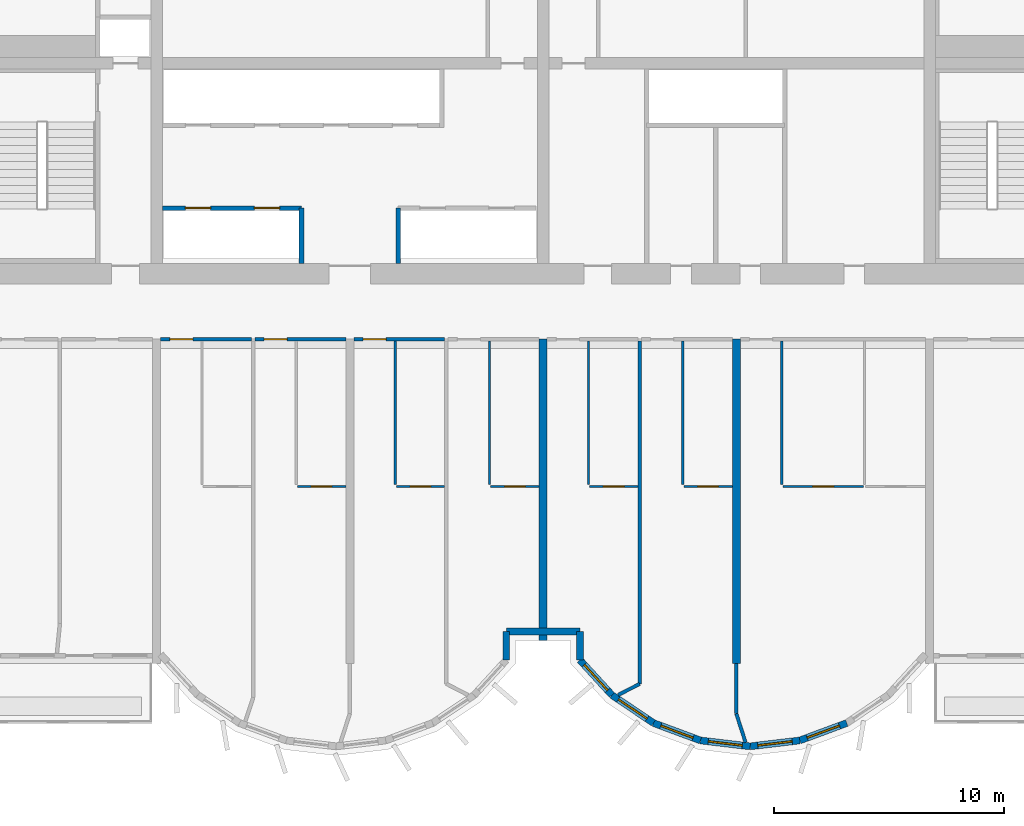
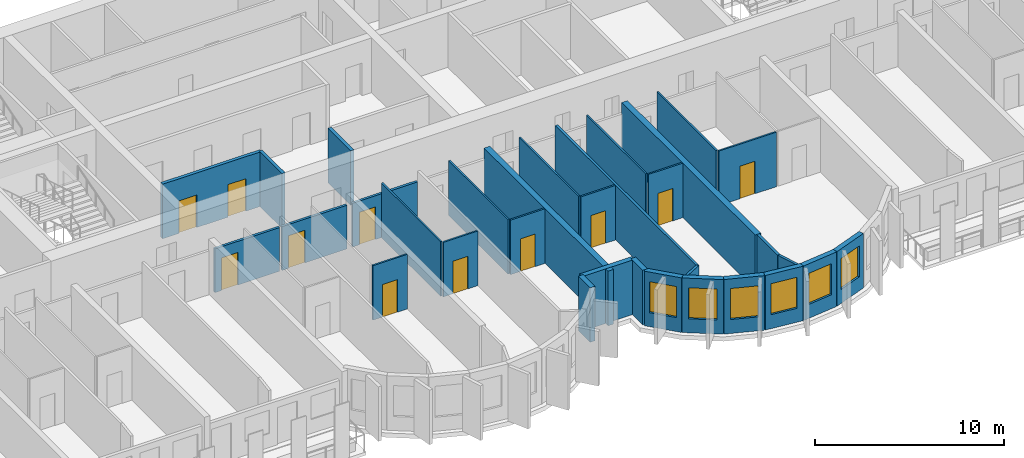
# One storey, part 5 of 14: 32 walls, 11 doors, 6 windows, 17 openings.
"""IFC4 building model written with IfcOpenShell, lengths in metres."""

from ifc_helpers import new_model, si_unit, direction, frame, frame_2d, origin, place, context, subcontext, project, spatial, rectangle, extrude, source, transform, mapped, material, layer, layer_set, type_object, element, fill, save


model = new_model("IFC4")

# Units and contexts
model_context = context("Model", 3, precision=1e-05, world=origin(), true_north=direction((0.0, 1.0)))
body_context = subcontext(model_context, "Body", "Model", "MODEL_VIEW")
ifc_project = project(units=[si_unit("LENGTHUNIT", "METRE"), si_unit("AREAUNIT", "SQUARE_METRE"), si_unit("VOLUMEUNIT", "CUBIC_METRE"), si_unit("PLANEANGLEUNIT", "RADIAN"), si_unit("MASSUNIT", "GRAM", prefix="KILO")], contexts=[model_context])

# Site, building, storey
site_placement = place(None, origin())
site = spatial("IfcSite", under=ifc_project, at=site_placement, CompositionType="ELEMENT")
building_placement = place(site_placement, origin())
building = spatial("IfcBuilding", under=site, at=building_placement, Name="Vanashikhar Sky Hotel", CompositionType="ELEMENT")
storey_placement = place(building_placement, frame((0.0, 0.0, 125.60009765625)))
storey = spatial("IfcBuildingStorey", under=building, at=storey_placement, Name="L30", CompositionType="ELEMENT", Elevation=125.60009765625)

# Walls
ifc_material_1 = material(Name="Concrete M70", Category="concrete")
ifc_layer_1 = layer(ifc_material_1, 0.35009765625)
ifc_layer_set_1 = layer_set([ifc_layer_1], Name="RC shear wall 350 Concrete M70")
wall_type_1 = type_object("IfcWallType", Name="RC shear wall 350 Concrete M70", PredefinedType="SHEAR", material=ifc_layer_set_1)
shared_shape_1 = source(origin(), body_context, "Body", "SweptSolid", [
    extrude(rectangle(XDim=14.10009765625, YDim=0.35009765625, at=frame_2d((7.050048828125, 0.0))), origin(), (0.0, 0.0, 1.0), 3.52001953125),
])
wall_1_placement = place(storey_placement, frame((58.800048828125, 5.5, 0.0), z_axis=(0.0, 0.0, 1.0), x_axis=(0.0, 1.0, 0.0)))
element("IfcWall", 1, at=wall_1_placement, inside=storey, type_object=wall_type_1, Name="CW-L30-XW08-1", PredefinedType="SHEAR", context=body_context, shape_type="MappedRepresentation", body=[
    mapped(shared_shape_1, transform((0.0, 0.0, 0.0), scale=1.0)),
])
shared_shape_2 = source(origin(), body_context, "Body", "SweptSolid", [
    extrude(rectangle(XDim=13.10009765625, YDim=0.35009765625, at=frame_2d((6.550048828125, 0.0))), origin(), (0.0, 0.0, 1.0), 3.52001953125),
])
wall_2_placement = place(storey_placement, frame((50.39990234375, 6.5, 0.0), z_axis=(0.0, 0.0, 1.0), x_axis=(0.0, 1.0, 0.0)))
element("IfcWall", 2, at=wall_2_placement, inside=storey, type_object=wall_type_1, Name="CW-L30-XW07-1", PredefinedType="SHEAR", context=body_context, shape_type="MappedRepresentation", body=[
    mapped(shared_shape_2, transform((0.0, 0.0, 0.0), scale=1.0)),
])

# Wall, opening, window
ifc_material_2 = material(Name="Concrete M50", Category="concrete")
ifc_layer_2 = layer(ifc_material_2, 0.300048828125)
ifc_layer_set_2 = layer_set([ifc_layer_2], Name="Lobe wall 300")
wall_type_2 = type_object("IfcWallType", Name="Lobe wall 300", PredefinedType="SOLIDWALL", material=ifc_layer_set_2)
shared_shape_3 = source(origin(), body_context, "Body", "SweptSolid", [
    extrude(rectangle(XDim=2.17578125, YDim=0.300048828125, at=frame_2d((1.087890625, 0.0))), origin(), (0.0, 0.0, 1.0), 3.52001953125),
])
wall_3_placement = place(storey_placement, frame((53.395751953125, 4.13134765625, 0.0), z_axis=(0.0, 0.0, 1.0), x_axis=(0.829590746428, -0.558371913192, 0.0)))
wall_3 = element("IfcWall", 3, at=wall_3_placement, inside=storey, type_object=wall_type_2, Name="Lobe wall", PredefinedType="SOLIDWALL", context=body_context, shape_type="MappedRepresentation", body=[
    mapped(shared_shape_3, transform((0.0, 0.0, 0.0), scale=1.0)),
])
shared_shape_4 = source(origin(), body_context, "Body", "SweptSolid", [
    extrude(rectangle(XDim=1.5, YDim=2.0, at=frame_2d((0.75, 1.0))), frame((0.0, 0.16015625, 0.0), z_axis=(0.0, -1.0, 0.0), x_axis=(1.0, 0.0, 0.0)), (0.0, 0.0, 1.0), 0.320068359375),
])
opening_1_placement = place(wall_3_placement, frame((0.337890625, 0.0, 0.89990234375)))
opening_1 = element("IfcOpeningElement", 4, at=opening_1_placement, cuts=wall_3, Name="Opening WN-2", PredefinedType="OPENING", context=body_context, shape_type="MappedRepresentation", body=[
    mapped(shared_shape_4, transform((0.0, 0.0, 0.0), scale=1.0)),
])
ifc_material_3 = material(Name="Glass", Category="glass")
window_type = type_object("IfcWindowType", Name="Lobe window 1500 x 2000", PartitioningType="SINGLE_PANEL", PredefinedType="WINDOW", material=ifc_material_3)
shared_shape_5 = source(origin(), body_context, "Body", "SweptSolid", [
    extrude(rectangle(XDim=1.5, YDim=2.0, at=frame_2d((0.75, 1.0))), frame((0.0, 0.030029296875, 0.0), z_axis=(0.0, -1.0, 0.0), x_axis=(1.0, 0.0, 0.0)), (0.0, 0.0, 1.0), 0.06005859375),
])
window_1_placement = place(opening_1_placement, origin())
window_1 = element("IfcWindow", 5, at=window_1_placement, inside=storey, type_object=window_type, Name="Window WN-2", OverallHeight=2.0, OverallWidth=1.5, PartitioningType="SINGLE_PANEL", PredefinedType="WINDOW", context=body_context, shape_type="MappedRepresentation", body=[
    mapped(shared_shape_5, transform((0.0, 0.0, 0.0), scale=1.0)),
])
fill(opening_1, window_1)

wall_4_placement = place(storey_placement, frame((55.20068359375, 2.91650390625, 0.0), z_axis=(0.0, 0.0, 1.0), x_axis=(0.93754555999, -0.347862505801, 0.0)))
wall_4 = element("IfcWall", 6, at=wall_4_placement, inside=storey, type_object=wall_type_2, Name="Lobe wall", PredefinedType="SOLIDWALL", context=body_context, shape_type="MappedRepresentation", body=[
    mapped(shared_shape_3, transform((0.0, 0.0, 0.0), scale=1.0)),
])
opening_2_placement = place(wall_4_placement, frame((0.337890625, 0.0, 0.89990234375)))
opening_2 = element("IfcOpeningElement", 7, at=opening_2_placement, cuts=wall_4, Name="Opening WN-2", PredefinedType="OPENING", context=body_context, shape_type="MappedRepresentation", body=[
    mapped(shared_shape_4, transform((0.0, 0.0, 0.0), scale=1.0)),
])
window_2_placement = place(opening_2_placement, origin())
window_2 = element("IfcWindow", 8, at=window_2_placement, inside=storey, type_object=window_type, Name="Window WN-2", OverallHeight=2.0, OverallWidth=1.5, PartitioningType="SINGLE_PANEL", PredefinedType="WINDOW", context=body_context, shape_type="MappedRepresentation", body=[
    mapped(shared_shape_5, transform((0.0, 0.0, 0.0), scale=1.0)),
])
fill(opening_2, window_2)

shared_shape_6 = source(origin(), body_context, "Body", "SweptSolid", [
    extrude(rectangle(XDim=2.174560546875, YDim=0.300048828125, at=frame_2d((1.08740234375, 0.0))), origin(), (0.0, 0.0, 1.0), 3.52001953125),
])
wall_5_placement = place(storey_placement, frame((57.240478515625, 2.15966796875, 0.0), z_axis=(0.0, 0.0, 1.0), x_axis=(0.993001132889, -0.118104826659, 0.0)))
wall_5 = element("IfcWall", 9, at=wall_5_placement, inside=storey, type_object=wall_type_2, Name="Lobe wall", PredefinedType="SOLIDWALL", context=body_context, shape_type="MappedRepresentation", body=[
    mapped(shared_shape_6, transform((0.0, 0.0, 0.0), scale=1.0)),
])
opening_3_placement = place(wall_5_placement, frame((0.33740234375, 0.0, 0.89990234375)))
opening_3 = element("IfcOpeningElement", 10, at=opening_3_placement, cuts=wall_5, Name="Opening WN-2", PredefinedType="OPENING", context=body_context, shape_type="MappedRepresentation", body=[
    mapped(shared_shape_4, transform((0.0, 0.0, 0.0), scale=1.0)),
])
window_3_placement = place(opening_3_placement, origin())
window_3 = element("IfcWindow", 11, at=window_3_placement, inside=storey, type_object=window_type, Name="Window WN-2", OverallHeight=2.0, OverallWidth=1.5, PartitioningType="SINGLE_PANEL", PredefinedType="WINDOW", context=body_context, shape_type="MappedRepresentation", body=[
    mapped(shared_shape_5, transform((0.0, 0.0, 0.0), scale=1.0)),
])
fill(opening_3, window_3)

shared_shape_7 = source(origin(), body_context, "Body", "SweptSolid", [
    extrude(rectangle(XDim=2.1748046875, YDim=0.300048828125, at=frame_2d((1.08740234375, 0.0))), origin(), (0.0, 0.0, 1.0), 3.52001953125),
])
wall_6_placement = place(storey_placement, frame((59.39990234375, 1.90283203125, 0.0), z_axis=(0.0, 0.0, 1.0), x_axis=(0.993002698611, 0.118091661648, 0.0)))
wall_6 = element("IfcWall", 12, at=wall_6_placement, inside=storey, type_object=wall_type_2, Name="Lobe wall", PredefinedType="SOLIDWALL", context=body_context, shape_type="MappedRepresentation", body=[
    mapped(shared_shape_7, transform((0.0, 0.0, 0.0), scale=1.0)),
])
opening_4_placement = place(wall_6_placement, frame((0.33740234375, 0.0, 0.89990234375)))
opening_4 = element("IfcOpeningElement", 13, at=opening_4_placement, cuts=wall_6, Name="Opening WN-2", PredefinedType="OPENING", context=body_context, shape_type="MappedRepresentation", body=[
    mapped(shared_shape_4, transform((0.0, 0.0, 0.0), scale=1.0)),
])
window_4_placement = place(opening_4_placement, origin())
window_4 = element("IfcWindow", 14, at=window_4_placement, inside=storey, type_object=window_type, Name="Window WN-2", OverallHeight=2.0, OverallWidth=1.5, PartitioningType="SINGLE_PANEL", PredefinedType="WINDOW", context=body_context, shape_type="MappedRepresentation", body=[
    mapped(shared_shape_5, transform((0.0, 0.0, 0.0), scale=1.0)),
])
fill(opening_4, window_4)

shared_shape_8 = source(origin(), body_context, "Body", "SweptSolid", [
    extrude(rectangle(XDim=2.175537109375, YDim=0.300048828125, at=frame_2d((1.087890625, 0.0))), origin(), (0.0, 0.0, 1.0), 3.52001953125),
])
wall_7_placement = place(storey_placement, frame((61.5595703125, 2.15966796875, 0.0), z_axis=(0.0, 0.0, 1.0), x_axis=(0.937531979054, 0.347899106424, 0.0)))
wall_7 = element("IfcWall", 15, at=wall_7_placement, inside=storey, type_object=wall_type_2, Name="Lobe wall", PredefinedType="SOLIDWALL", context=body_context, shape_type="MappedRepresentation", body=[
    mapped(shared_shape_8, transform((0.0, 0.0, 0.0), scale=1.0)),
])
opening_5_placement = place(wall_7_placement, frame((0.337890625, 0.0, 0.89990234375)))
opening_5 = element("IfcOpeningElement", 16, at=opening_5_placement, cuts=wall_7, Name="Opening WN-2", PredefinedType="OPENING", context=body_context, shape_type="MappedRepresentation", body=[
    mapped(shared_shape_4, transform((0.0, 0.0, 0.0), scale=1.0)),
])
window_5_placement = place(opening_5_placement, origin())
window_5 = element("IfcWindow", 17, at=window_5_placement, inside=storey, type_object=window_type, Name="Window WN-2", OverallHeight=2.0, OverallWidth=1.5, PartitioningType="SINGLE_PANEL", PredefinedType="WINDOW", context=body_context, shape_type="MappedRepresentation", body=[
    mapped(shared_shape_5, transform((0.0, 0.0, 0.0), scale=1.0)),
])
fill(opening_5, window_5)

shared_shape_9 = source(origin(), body_context, "Body", "SweptSolid", [
    extrude(rectangle(XDim=2.066650390625, YDim=0.300048828125, at=frame_2d((1.033203125, 0.0))), origin(), (0.0, 0.0, 1.0), 3.52001953125),
])
wall_8_placement = place(storey_placement, frame((52.0, 5.655517578125, 0.0), z_axis=(0.0, 0.0, 1.0), x_axis=(0.675355439877, -0.737492393065, 0.0)))
wall_8 = element("IfcWall", 18, at=wall_8_placement, inside=storey, type_object=wall_type_2, Name="Lobe wall", PredefinedType="SOLIDWALL", context=body_context, shape_type="MappedRepresentation", body=[
    mapped(shared_shape_9, transform((0.0, 0.0, 0.0), scale=1.0)),
])
opening_6_placement = place(wall_8_placement, frame((0.283447265625, 0.0, 0.89990234375)))
opening_6 = element("IfcOpeningElement", 19, at=opening_6_placement, cuts=wall_8, Name="Opening WN-2", PredefinedType="OPENING", context=body_context, shape_type="MappedRepresentation", body=[
    mapped(shared_shape_4, transform((0.0, 0.0, 0.0), scale=1.0)),
])
window_6_placement = place(opening_6_placement, origin())
window_6 = element("IfcWindow", 20, at=window_6_placement, inside=storey, type_object=window_type, Name="Window WN-2", OverallHeight=2.0, OverallWidth=1.5, PartitioningType="SINGLE_PANEL", PredefinedType="WINDOW", context=body_context, shape_type="MappedRepresentation", body=[
    mapped(shared_shape_5, transform((0.0, 0.0, 0.0), scale=1.0)),
])
fill(opening_6, window_6)

# Walls
shared_shape_10 = source(origin(), body_context, "Body", "SweptSolid", [
    extrude(rectangle(XDim=1.244384765625, YDim=0.300048828125, at=frame_2d((0.6220703125, 0.0))), origin(), (0.0, 0.0, 1.0), 3.52001953125),
])
for number, where, z_axis, x_axis, name in (
    (21, (48.800048828125, 5.655517578125, 0.0), (0.0, 0.0, 1.0), (0.0, 1.0, 0.0), "Groove wall"),
    (22, (52.0, 6.89990234375, 0.0), (0.0, 0.0, 1.0), (0.0, -1.0, 0.0), "Groove wall"),
):
    element("IfcWall", number, at=place(storey_placement, frame(where, z_axis=z_axis, x_axis=x_axis)), inside=storey, type_object=wall_type_2, Name=name, PredefinedType="SOLIDWALL", context=body_context, shape_type="MappedRepresentation", body=[
        mapped(shared_shape_10, transform((0.0, 0.0, 0.0), scale=1.0)),
    ])
shared_shape_11 = source(origin(), body_context, "Body", "SweptSolid", [
    extrude(rectangle(XDim=3.199951171875, YDim=0.300048828125, at=frame_2d((1.60009765625, 0.0))), origin(), (0.0, 0.0, 1.0), 3.52001953125),
])
wall_9_placement = place(storey_placement, frame((48.800048828125, 6.89990234375, 0.0), z_axis=(0.0, 0.0, 1.0), x_axis=(1.0, 0.0, 0.0)))
element("IfcWall", 23, at=wall_9_placement, inside=storey, type_object=wall_type_2, Name="Groove wall", PredefinedType="SOLIDWALL", context=body_context, shape_type="MappedRepresentation", body=[
    mapped(shared_shape_11, transform((0.0, 0.0, 0.0), scale=1.0)),
])

# Wall, openings, doors
ifc_material_4 = material(Name="Concrete M40", Category="concrete")
ifc_layer_3 = layer(ifc_material_4, 0.199951171875)
ifc_layer_set_3 = layer_set([ifc_layer_3], Name="Shaft wall 200")
wall_type_3 = type_object("IfcWallType", Name="Shaft wall 200", PredefinedType="SOLIDWALL", material=ifc_layer_set_3)
shared_shape_12 = source(origin(), body_context, "Body", "SweptSolid", [
    extrude(rectangle(XDim=6.0498046875, YDim=0.199951171875, at=frame_2d((3.02490234375, 0.0))), origin(), (0.0, 0.0, 1.0), 3.52001953125),
])
wall_10_placement = place(storey_placement, frame((33.85009765625, 25.300048828125, 0.0), z_axis=(0.0, 0.0, 1.0), x_axis=(1.0, 0.0, 0.0)))
wall_10 = element("IfcWall", 24, at=wall_10_placement, inside=storey, type_object=wall_type_3, Name="Shaft wall 200", PredefinedType="SOLIDWALL", context=body_context, shape_type="MappedRepresentation", body=[
    mapped(shared_shape_12, transform((0.0, 0.0, 0.0), scale=1.0)),
])
shared_shape_13 = source(origin(), body_context, "Body", "SweptSolid", [
    extrude(rectangle(XDim=1.10009765625, YDim=2.10009765625, at=frame_2d((0.550048828125, 1.050048828125))), frame((0.0, 0.10986328125, 0.0), z_axis=(0.0, -1.0, 0.0), x_axis=(1.0, 0.0, 0.0)), (0.0, 0.0, 1.0), 0.219970703125),
])
opening_7_placement = place(wall_10_placement, frame((1.0, 0.0, 0.0)))
opening_7 = element("IfcOpeningElement", 25, at=opening_7_placement, cuts=wall_10, Name="Opening LD", PredefinedType="OPENING", context=body_context, shape_type="MappedRepresentation", body=[
    mapped(shared_shape_13, transform((0.0, 0.0, 0.0), scale=1.0)),
])
opening_8_placement = place(wall_10_placement, frame((4.0, 0.0, 0.0)))
opening_8 = element("IfcOpeningElement", 26, at=opening_8_placement, cuts=wall_10, Name="Opening LD", PredefinedType="OPENING", context=body_context, shape_type="MappedRepresentation", body=[
    mapped(shared_shape_13, transform((0.0, 0.0, 0.0), scale=1.0)),
])
ifc_material_5 = material(Name="Stainless steel", Category="steel")
door_type_1 = type_object("IfcDoorType", Name="Lift landing door 1100", OperationType="NOTDEFINED", PredefinedType="DOOR", material=ifc_material_5)
shared_shape_14 = source(origin(), body_context, "Body", "SweptSolid", [
    extrude(rectangle(XDim=1.10009765625, YDim=2.10009765625, at=frame_2d((0.550048828125, 1.050048828125))), frame((0.0, 0.02490234375, 0.0), z_axis=(0.0, -1.0, 0.0), x_axis=(1.0, 0.0, 0.0)), (0.0, 0.0, 1.0), 0.050048828125),
])
door_1_placement = place(opening_7_placement, origin())
door_1 = element("IfcDoor", 27, at=door_1_placement, inside=storey, type_object=door_type_1, Name="Lift landing door 1100", OperationType="SLIDING_TO_LEFT", OverallHeight=2.10009765625, OverallWidth=1.10009765625, PredefinedType="DOOR", context=body_context, shape_type="MappedRepresentation", body=[
    mapped(shared_shape_14, transform((0.0, 0.0, 0.0), scale=1.0)),
])
fill(opening_7, door_1)
door_2_placement = place(opening_8_placement, origin())
door_2 = element("IfcDoor", 28, at=door_2_placement, inside=storey, type_object=door_type_1, Name="Lift landing door 1100", OperationType="SLIDING_TO_RIGHT", OverallHeight=2.10009765625, OverallWidth=1.10009765625, PredefinedType="DOOR", context=body_context, shape_type="MappedRepresentation", body=[
    mapped(shared_shape_14, transform((0.0, 0.0, 0.0), scale=1.0)),
])
fill(opening_8, door_2)

# Walls
shared_shape_15 = source(origin(), body_context, "Body", "SweptSolid", [
    extrude(rectangle(XDim=2.400146484375, YDim=0.199951171875, at=frame_2d((1.2001953125, 0.0))), origin(), (0.0, 0.0, 1.0), 3.52001953125),
])
for number, where, z_axis, x_axis, name in (
    (29, (39.89990234375, 22.89990234375, 0.0), (0.0, 0.0, 1.0), (0.0, 1.0, 0.0), "Shaft wall 200"),
    (30, (44.10009765625, 22.89990234375, 0.0), (0.0, 0.0, 1.0), (0.0, 1.0, 0.0), "Shaft wall 200"),
):
    element("IfcWall", number, at=place(storey_placement, frame(where, z_axis=z_axis, x_axis=x_axis)), inside=storey, type_object=wall_type_3, Name=name, PredefinedType="SOLIDWALL", context=body_context, shape_type="MappedRepresentation", body=[
        mapped(shared_shape_15, transform((0.0, 0.0, 0.0), scale=1.0)),
    ])
ifc_material_6 = material(Name="Gypsum plasterboard partition")
ifc_layer_4 = layer(ifc_material_6, 0.14990234375)
ifc_layer_set_4 = layer_set([ifc_layer_4], Name="Corridor and demising partition 150")
wall_type_4 = type_object("IfcWallType", Name="Corridor and demising partition 150", PredefinedType="PARTITIONING", material=ifc_layer_set_4)
shared_shape_16 = source(origin(), body_context, "Body", "SweptSolid", [
    extrude(rectangle(XDim=2.177978515625, YDim=0.14990234375, at=frame_2d((1.0888671875, 0.0))), origin(), (0.0, 0.0, 1.0), 3.52001953125),
])
wall_11_placement = place(storey_placement, frame((58.800048828125, 3.322021484375, 0.0), z_axis=(0.0, 0.0, 1.0), x_axis=(0.0, 1.0, 0.0)))
element("IfcWall", 31, at=wall_11_placement, inside=storey, type_object=wall_type_4, Name="W-L30-PW070", PredefinedType="PARTITIONING", context=body_context, shape_type="MappedRepresentation", body=[
    mapped(shared_shape_16, transform((0.0, 0.0, 0.0), scale=1.0)),
])

# Wall, opening, door
ifc_layer_5 = layer(ifc_material_6, 0.10009765625)
ifc_layer_set_5 = layer_set([ifc_layer_5], Name="Wet room partition 100")
wall_type_5 = type_object("IfcWallType", Name="Wet room partition 100", PredefinedType="PARTITIONING", material=ifc_layer_set_5)
shared_shape_17 = source(origin(), body_context, "Body", "SweptSolid", [
    extrude(rectangle(XDim=3.5, YDim=0.10009765625, at=frame_2d((1.75, 0.0))), origin(), (0.0, 0.0, 1.0), 3.52001953125),
])
wall_12_placement = place(storey_placement, frame((60.824951171875, 13.199951171875, 0.0), z_axis=(0.0, 0.0, 1.0), x_axis=(1.0, 0.0, 0.0)))
wall_12 = element("IfcWall", 32, at=wall_12_placement, inside=storey, type_object=wall_type_5, Name="W-L30-PW046", PredefinedType="PARTITIONING", context=body_context, shape_type="MappedRepresentation", body=[
    mapped(shared_shape_17, transform((0.0, 0.0, 0.0), scale=1.0)),
])
shared_shape_18 = source(origin(), body_context, "Body", "SweptSolid", [
    extrude(rectangle(XDim=0.89990234375, YDim=2.10009765625, at=frame_2d((0.449951171875, 1.050048828125))), frame((0.0, 0.06005859375, 0.0), z_axis=(0.0, -1.0, 0.0), x_axis=(1.0, 0.0, 0.0)), (0.0, 0.0, 1.0), 0.1201171875),
])
opening_9_placement = place(wall_12_placement, frame((1.300048828125, 0.0, 0.0)))
opening_9 = element("IfcOpeningElement", 33, at=opening_9_placement, cuts=wall_12, Name="Opening D-02", PredefinedType="OPENING", context=body_context, shape_type="MappedRepresentation", body=[
    mapped(shared_shape_18, transform((0.0, 0.0, 0.0), scale=1.0)),
])
ifc_material_7 = material(Name="Timber door", Category="wood")
door_type_2 = type_object("IfcDoorType", Name="Internal door 900", OperationType="NOTDEFINED", PredefinedType="DOOR", material=ifc_material_7)
shared_shape_19 = source(origin(), body_context, "Body", "SweptSolid", [
    extrude(rectangle(XDim=0.89990234375, YDim=2.10009765625, at=frame_2d((0.449951171875, 1.050048828125))), frame((0.0, 0.02490234375, 0.0), z_axis=(0.0, -1.0, 0.0), x_axis=(1.0, 0.0, 0.0)), (0.0, 0.0, 1.0), 0.050048828125),
])
door_3_placement = place(opening_9_placement, origin())
door_3 = element("IfcDoor", 34, at=door_3_placement, inside=storey, type_object=door_type_2, Name="D-L30-026", OperationType="SINGLE_SWING_LEFT", OverallHeight=2.10009765625, OverallWidth=0.89990234375, PredefinedType="DOOR", context=body_context, shape_type="MappedRepresentation", body=[
    mapped(shared_shape_19, transform((0.0, 0.0, 0.0), scale=1.0)),
])
fill(opening_9, door_3)

# Walls
shared_shape_20 = source(origin(), body_context, "Body", "SweptSolid", [
    extrude(rectangle(XDim=1.057861328125, YDim=0.14990234375, at=frame_2d((0.52880859375, 0.0))), origin(), (0.0, 0.0, 1.0), 3.52001953125),
])
wall_13_placement = place(storey_placement, frame((53.659912109375, 4.134033203125, 0.0), z_axis=(0.0, 0.0, 1.0), x_axis=(0.888772319209, 0.458348955063, 0.0)))
element("IfcWall", 35, at=wall_13_placement, inside=storey, type_object=wall_type_4, Name="W-L30-PW043B0", PredefinedType="PARTITIONING", context=body_context, shape_type="MappedRepresentation", body=[
    mapped(shared_shape_20, transform((0.0, 0.0, 0.0), scale=1.0)),
])
shared_shape_21 = source(origin(), body_context, "Body", "SweptSolid", [
    extrude(rectangle(XDim=1.308349609375, YDim=0.14990234375, at=frame_2d((0.654296875, 0.0))), origin(), (0.0, 0.0, 1.0), 3.52001953125),
])
wall_14_placement = place(storey_placement, frame((59.201904296875, 2.076904296875, 0.0), z_axis=(0.0, 0.0, 1.0), x_axis=(-0.307144529633, 0.951662880392, 0.0)))
element("IfcWall", 36, at=wall_14_placement, inside=storey, type_object=wall_type_4, Name="W-L30-PW070B0", PredefinedType="PARTITIONING", context=body_context, shape_type="MappedRepresentation", body=[
    mapped(shared_shape_21, transform((0.0, 0.0, 0.0), scale=1.0)),
])
shared_shape_22 = source(origin(), body_context, "Body", "SweptSolid", [
    extrude(rectangle(XDim=6.25, YDim=0.10009765625, at=frame_2d((3.125, 0.0))), origin(), (0.0, 0.0, 1.0), 3.52001953125),
])
for number, where, z_axis, x_axis, name in (
    (37, (43.97509765625, 13.27490234375, 0.0), (0.0, 0.0, 1.0), (0.0, 1.0, 0.0), "W-L30-PW030"),
    (38, (48.074951171875, 13.27490234375, 0.0), (0.0, 0.0, 1.0), (0.0, 1.0, 0.0), "W-L30-PW033"),
    (39, (52.375, 13.27490234375, 0.0), (0.0, 0.0, 1.0), (0.0, 1.0, 0.0), "W-L30-PW037"),
    (40, (56.47509765625, 13.27490234375, 0.0), (0.0, 0.0, 1.0), (0.0, 1.0, 0.0), "W-L30-PW040"),
    (41, (60.77490234375, 13.27490234375, 0.0), (0.0, 0.0, 1.0), (0.0, 1.0, 0.0), "W-L30-PW044"),
):
    element("IfcWall", number, at=place(storey_placement, frame(where, z_axis=z_axis, x_axis=x_axis)), inside=storey, type_object=wall_type_5, Name=name, PredefinedType="PARTITIONING", context=body_context, shape_type="MappedRepresentation", body=[
        mapped(shared_shape_22, transform((0.0, 0.0, 0.0), scale=1.0)),
    ])

# Wall, opening, door
shared_shape_23 = source(origin(), body_context, "Body", "SweptSolid", [
    extrude(rectangle(XDim=2.10009765625, YDim=0.10009765625, at=frame_2d((1.050048828125, 0.0))), origin(), (0.0, 0.0, 1.0), 3.52001953125),
])
wall_15_placement = place(storey_placement, frame((44.02490234375, 13.199951171875, 0.0), z_axis=(0.0, 0.0, 1.0), x_axis=(1.0, 0.0, 0.0)))
wall_15 = element("IfcWall", 42, at=wall_15_placement, inside=storey, type_object=wall_type_5, Name="W-L30-PW031", PredefinedType="PARTITIONING", context=body_context, shape_type="MappedRepresentation", body=[
    mapped(shared_shape_23, transform((0.0, 0.0, 0.0), scale=1.0)),
])
opening_10_placement = place(wall_15_placement, frame((0.60009765625, 0.0, 0.0)))
opening_10 = element("IfcOpeningElement", 43, at=opening_10_placement, cuts=wall_15, Name="Opening D-02", PredefinedType="OPENING", context=body_context, shape_type="MappedRepresentation", body=[
    mapped(shared_shape_18, transform((0.0, 0.0, 0.0), scale=1.0)),
])
door_4_placement = place(opening_10_placement, origin())
door_4 = element("IfcDoor", 44, at=door_4_placement, inside=storey, type_object=door_type_2, Name="D-L30-018", OperationType="SINGLE_SWING_LEFT", OverallHeight=2.10009765625, OverallWidth=0.89990234375, PredefinedType="DOOR", context=body_context, shape_type="MappedRepresentation", body=[
    mapped(shared_shape_19, transform((0.0, 0.0, 0.0), scale=1.0)),
])
fill(opening_10, door_4)

wall_16_placement = place(storey_placement, frame((48.125, 13.199951171875, 0.0), z_axis=(0.0, 0.0, 1.0), x_axis=(1.0, 0.0, 0.0)))
wall_16 = element("IfcWall", 45, at=wall_16_placement, inside=storey, type_object=wall_type_5, Name="W-L30-PW034", PredefinedType="PARTITIONING", context=body_context, shape_type="MappedRepresentation", body=[
    mapped(shared_shape_23, transform((0.0, 0.0, 0.0), scale=1.0)),
])
opening_11_placement = place(wall_16_placement, frame((0.60009765625, 0.0, 0.0)))
opening_11 = element("IfcOpeningElement", 46, at=opening_11_placement, cuts=wall_16, Name="Opening D-02", PredefinedType="OPENING", context=body_context, shape_type="MappedRepresentation", body=[
    mapped(shared_shape_18, transform((0.0, 0.0, 0.0), scale=1.0)),
])
door_5_placement = place(opening_11_placement, origin())
door_5 = element("IfcDoor", 47, at=door_5_placement, inside=storey, type_object=door_type_2, Name="D-L30-020", OperationType="SINGLE_SWING_LEFT", OverallHeight=2.10009765625, OverallWidth=0.89990234375, PredefinedType="DOOR", context=body_context, shape_type="MappedRepresentation", body=[
    mapped(shared_shape_19, transform((0.0, 0.0, 0.0), scale=1.0)),
])
fill(opening_11, door_5)

wall_17_placement = place(storey_placement, frame((56.52490234375, 13.199951171875, 0.0), z_axis=(0.0, 0.0, 1.0), x_axis=(1.0, 0.0, 0.0)))
wall_17 = element("IfcWall", 48, at=wall_17_placement, inside=storey, type_object=wall_type_5, Name="W-L30-PW041", PredefinedType="PARTITIONING", context=body_context, shape_type="MappedRepresentation", body=[
    mapped(shared_shape_23, transform((0.0, 0.0, 0.0), scale=1.0)),
])
opening_12_placement = place(wall_17_placement, frame((0.60009765625, 0.0, 0.0)))
opening_12 = element("IfcOpeningElement", 49, at=opening_12_placement, cuts=wall_17, Name="Opening D-02", PredefinedType="OPENING", context=body_context, shape_type="MappedRepresentation", body=[
    mapped(shared_shape_18, transform((0.0, 0.0, 0.0), scale=1.0)),
])
door_6_placement = place(opening_12_placement, origin())
door_6 = element("IfcDoor", 50, at=door_6_placement, inside=storey, type_object=door_type_2, Name="D-L30-024", OperationType="SINGLE_SWING_LEFT", OverallHeight=2.10009765625, OverallWidth=0.89990234375, PredefinedType="DOOR", context=body_context, shape_type="MappedRepresentation", body=[
    mapped(shared_shape_19, transform((0.0, 0.0, 0.0), scale=1.0)),
])
fill(opening_12, door_6)

shared_shape_24 = source(origin(), body_context, "Body", "SweptSolid", [
    extrude(rectangle(XDim=2.099853515625, YDim=0.10009765625, at=frame_2d((1.0498046875, 0.0))), origin(), (0.0, 0.0, 1.0), 3.52001953125),
])
wall_18_placement = place(storey_placement, frame((39.72509765625, 13.199951171875, 0.0), z_axis=(0.0, 0.0, 1.0), x_axis=(1.0, 0.0, 0.0)))
wall_18 = element("IfcWall", 51, at=wall_18_placement, inside=storey, type_object=wall_type_5, Name="W-L30-PW027", PredefinedType="PARTITIONING", context=body_context, shape_type="MappedRepresentation", body=[
    mapped(shared_shape_24, transform((0.0, 0.0, 0.0), scale=1.0)),
])
opening_13_placement = place(wall_18_placement, frame((0.60009765625, 0.0, 0.0)))
opening_13 = element("IfcOpeningElement", 52, at=opening_13_placement, cuts=wall_18, Name="Opening D-02", PredefinedType="OPENING", context=body_context, shape_type="MappedRepresentation", body=[
    mapped(shared_shape_18, transform((0.0, 0.0, 0.0), scale=1.0)),
])
door_7_placement = place(opening_13_placement, origin())
door_7 = element("IfcDoor", 53, at=door_7_placement, inside=storey, type_object=door_type_2, Name="D-L30-016", OperationType="SINGLE_SWING_LEFT", OverallHeight=2.10009765625, OverallWidth=0.89990234375, PredefinedType="DOOR", context=body_context, shape_type="MappedRepresentation", body=[
    mapped(shared_shape_19, transform((0.0, 0.0, 0.0), scale=1.0)),
])
fill(opening_13, door_7)

wall_19_placement = place(storey_placement, frame((52.425048828125, 13.199951171875, 0.0), z_axis=(0.0, 0.0, 1.0), x_axis=(1.0, 0.0, 0.0)))
wall_19 = element("IfcWall", 54, at=wall_19_placement, inside=storey, type_object=wall_type_5, Name="W-L30-PW038", PredefinedType="PARTITIONING", context=body_context, shape_type="MappedRepresentation", body=[
    mapped(shared_shape_24, transform((0.0, 0.0, 0.0), scale=1.0)),
])
opening_14_placement = place(wall_19_placement, frame((0.60009765625, 0.0, 0.0)))
opening_14 = element("IfcOpeningElement", 55, at=opening_14_placement, cuts=wall_19, Name="Opening D-02", PredefinedType="OPENING", context=body_context, shape_type="MappedRepresentation", body=[
    mapped(shared_shape_18, transform((0.0, 0.0, 0.0), scale=1.0)),
])
door_8_placement = place(opening_14_placement, origin())
door_8 = element("IfcDoor", 56, at=door_8_placement, inside=storey, type_object=door_type_2, Name="D-L30-022", OperationType="SINGLE_SWING_LEFT", OverallHeight=2.10009765625, OverallWidth=0.89990234375, PredefinedType="DOOR", context=body_context, shape_type="MappedRepresentation", body=[
    mapped(shared_shape_19, transform((0.0, 0.0, 0.0), scale=1.0)),
])
fill(opening_14, door_8)

# Wall
shared_shape_25 = source(origin(), body_context, "Body", "SweptSolid", [
    extrude(rectangle(XDim=14.906005859375, YDim=0.14990234375, at=frame_2d((7.453125, 0.0))), origin(), (0.0, 0.0, 1.0), 3.52001953125),
])
wall_20_placement = place(storey_placement, frame((54.60009765625, 4.618896484375, 0.0), z_axis=(0.0, 0.0, 1.0), x_axis=(0.0, 1.0, 0.0)))
element("IfcWall", 57, at=wall_20_placement, inside=storey, type_object=wall_type_4, Name="W-L30-PW043", PredefinedType="PARTITIONING", context=body_context, shape_type="MappedRepresentation", body=[
    mapped(shared_shape_25, transform((0.0, 0.0, 0.0), scale=1.0)),
])

# Wall, opening, door
shared_shape_26 = source(origin(), body_context, "Body", "SweptSolid", [
    extrude(rectangle(XDim=3.9501953125, YDim=0.14990234375, at=frame_2d((1.97509765625, 0.0))), origin(), (0.0, 0.0, 1.0), 2.81982421875),
])
wall_21_placement = place(storey_placement, frame((33.77490234375, 19.60009765625, 0.0), z_axis=(0.0, 0.0, 1.0), x_axis=(1.0, 0.0, 0.0)))
wall_21 = element("IfcWall", 58, at=wall_21_placement, inside=storey, type_object=wall_type_4, Name="W-L30-PW025", PredefinedType="PARTITIONING", context=body_context, shape_type="MappedRepresentation", body=[
    mapped(shared_shape_26, transform((0.0, 0.0, 0.0), scale=1.0)),
])
shared_shape_27 = source(origin(), body_context, "Body", "SweptSolid", [
    extrude(rectangle(XDim=1.0, YDim=2.10009765625, at=frame_2d((0.5, 1.050048828125))), frame((0.0, 0.0849609375, 0.0), z_axis=(0.0, -1.0, 0.0), x_axis=(1.0, 0.0, 0.0)), (0.0, 0.0, 1.0), 0.169921875),
])
opening_15_placement = place(wall_21_placement, frame((0.39990234375, 0.0, 0.0)))
opening_15 = element("IfcOpeningElement", 59, at=opening_15_placement, cuts=wall_21, Name="Opening D-01", PredefinedType="OPENING", context=body_context, shape_type="MappedRepresentation", body=[
    mapped(shared_shape_27, transform((0.0, 0.0, 0.0), scale=1.0)),
])
ifc_material_8 = material(Name="Timber fire door", Category="wood")
door_type_3 = type_object("IfcDoorType", Name="Guest entry door 1000 FD30S", OperationType="NOTDEFINED", PredefinedType="DOOR", material=ifc_material_8)
shared_shape_28 = source(origin(), body_context, "Body", "SweptSolid", [
    extrude(rectangle(XDim=1.0, YDim=2.10009765625, at=frame_2d((0.5, 1.050048828125))), frame((0.0, 0.02490234375, 0.0), z_axis=(0.0, -1.0, 0.0), x_axis=(1.0, 0.0, 0.0)), (0.0, 0.0, 1.0), 0.050048828125),
])
door_9_placement = place(opening_15_placement, origin())
door_9 = element("IfcDoor", 60, at=door_9_placement, inside=storey, type_object=door_type_3, Name="D-L30-015", OperationType="SINGLE_SWING_LEFT", OverallHeight=2.10009765625, OverallWidth=1.0, PredefinedType="DOOR", context=body_context, shape_type="MappedRepresentation", body=[
    mapped(shared_shape_28, transform((0.0, 0.0, 0.0), scale=1.0)),
])
fill(opening_15, door_9)

shared_shape_29 = source(origin(), body_context, "Body", "SweptSolid", [
    extrude(rectangle(XDim=3.949951171875, YDim=0.14990234375, at=frame_2d((1.97509765625, 0.0))), origin(), (0.0, 0.0, 1.0), 2.81982421875),
])
wall_22_placement = place(storey_placement, frame((37.875, 19.60009765625, 0.0), z_axis=(0.0, 0.0, 1.0), x_axis=(1.0, 0.0, 0.0)))
wall_22 = element("IfcWall", 61, at=wall_22_placement, inside=storey, type_object=wall_type_4, Name="W-L30-PW028", PredefinedType="PARTITIONING", context=body_context, shape_type="MappedRepresentation", body=[
    mapped(shared_shape_29, transform((0.0, 0.0, 0.0), scale=1.0)),
])
opening_16_placement = place(wall_22_placement, frame((0.39990234375, 0.0, 0.0)))
opening_16 = element("IfcOpeningElement", 62, at=opening_16_placement, cuts=wall_22, Name="Opening D-01", PredefinedType="OPENING", context=body_context, shape_type="MappedRepresentation", body=[
    mapped(shared_shape_27, transform((0.0, 0.0, 0.0), scale=1.0)),
])
door_10_placement = place(opening_16_placement, origin())
door_10 = element("IfcDoor", 63, at=door_10_placement, inside=storey, type_object=door_type_3, Name="D-L30-017", OperationType="SINGLE_SWING_LEFT", OverallHeight=2.10009765625, OverallWidth=1.0, PredefinedType="DOOR", context=body_context, shape_type="MappedRepresentation", body=[
    mapped(shared_shape_28, transform((0.0, 0.0, 0.0), scale=1.0)),
])
fill(opening_16, door_10)

wall_23_placement = place(storey_placement, frame((42.175048828125, 19.60009765625, 0.0), z_axis=(0.0, 0.0, 1.0), x_axis=(1.0, 0.0, 0.0)))
wall_23 = element("IfcWall", 64, at=wall_23_placement, inside=storey, type_object=wall_type_4, Name="W-L30-PW032", PredefinedType="PARTITIONING", context=body_context, shape_type="MappedRepresentation", body=[
    mapped(shared_shape_29, transform((0.0, 0.0, 0.0), scale=1.0)),
])
opening_17_placement = place(wall_23_placement, frame((0.39990234375, 0.0, 0.0)))
opening_17 = element("IfcOpeningElement", 65, at=opening_17_placement, cuts=wall_23, Name="Opening D-01", PredefinedType="OPENING", context=body_context, shape_type="MappedRepresentation", body=[
    mapped(shared_shape_27, transform((0.0, 0.0, 0.0), scale=1.0)),
])
door_11_placement = place(opening_17_placement, origin())
door_11 = element("IfcDoor", 66, at=door_11_placement, inside=storey, type_object=door_type_3, Name="D-L30-019", OperationType="SINGLE_SWING_LEFT", OverallHeight=2.10009765625, OverallWidth=1.0, PredefinedType="DOOR", context=body_context, shape_type="MappedRepresentation", body=[
    mapped(shared_shape_28, transform((0.0, 0.0, 0.0), scale=1.0)),
])
fill(opening_17, door_11)

save(model, "model.ifc")
